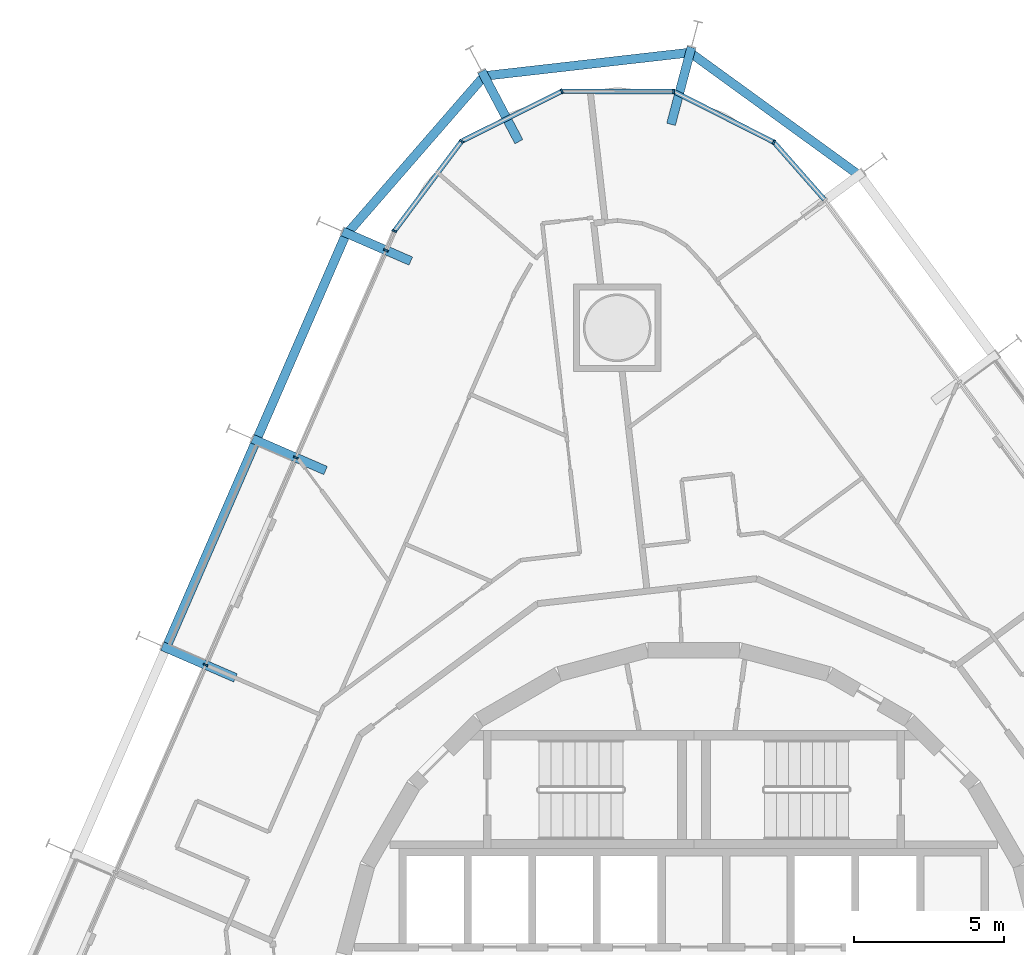
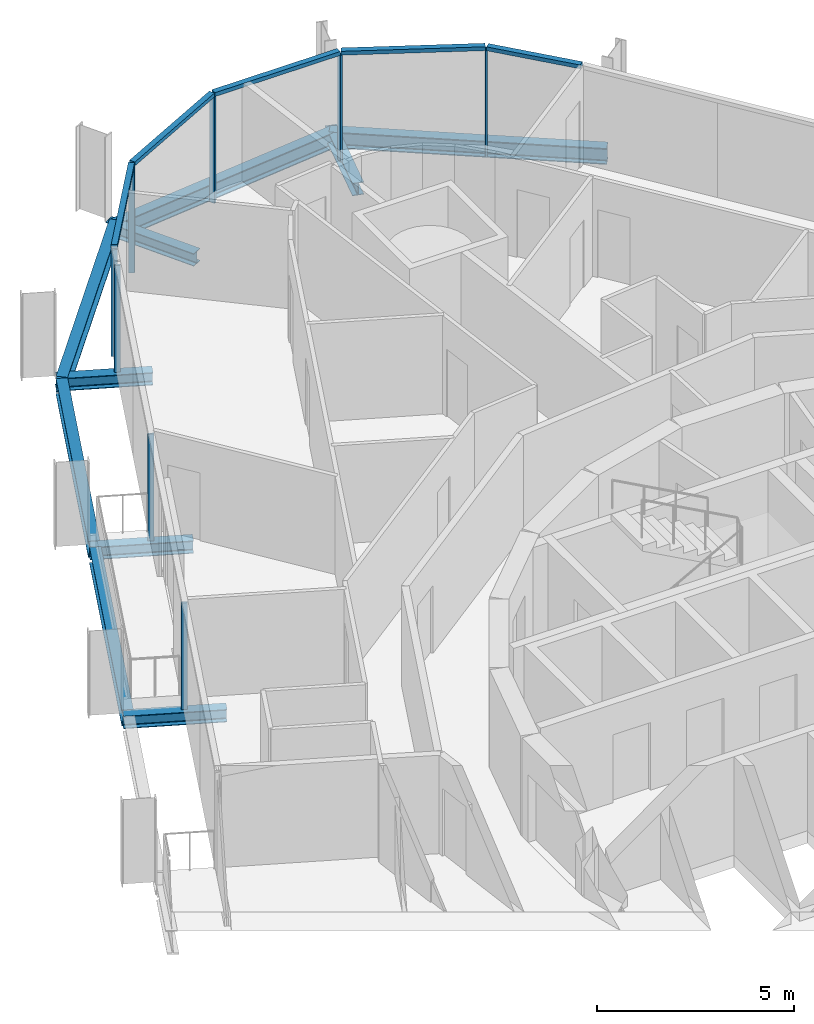
# One storey, part 9 of 23: 13 members, 10 beams, 2 elements without a shape of their own.
"""IFC4 building model written with IfcOpenShell, lengths in metres."""

from ifc_helpers import new_model, si_unit, direction, frame, origin, origin_2d, place, context, subcontext, project, spatial, rectangle, i_section, extrude, material, layer, layer_set, material_profile, profile_set, type_object, element, aggregate, save


model = new_model("IFC4")

# Units and contexts
model_context = context("Model", 3, precision=1e-05, world=origin(), true_north=direction((0.0, 1.0)))
body_context = subcontext(model_context, "Body", "Model", "MODEL_VIEW")
ifc_project = project(units=[si_unit("LENGTHUNIT", "METRE"), si_unit("AREAUNIT", "SQUARE_METRE"), si_unit("VOLUMEUNIT", "CUBIC_METRE"), si_unit("PLANEANGLEUNIT", "RADIAN"), si_unit("MASSUNIT", "GRAM", prefix="KILO")], contexts=[model_context])

# Site, building, storey
site_placement = place(None, origin())
site = spatial("IfcSite", under=ifc_project, at=site_placement, CompositionType="ELEMENT")
building_placement = place(site_placement, origin())
building = spatial("IfcBuilding", under=site, at=building_placement, Name="Spindle Arch Residences", CompositionType="ELEMENT")
storey_placement = place(building_placement, frame((0.0, 0.0, 104.699951171875)))
storey = spatial("IfcBuildingStorey", under=building, at=storey_placement, Name="L25", CompositionType="ELEMENT", Elevation=104.699951171875)

# Curtain wall, members
ifc_material_1 = material(Name="Aluminium bronze unitised frame with tinted glass", Category="aluminium")
ifc_layer_1 = layer(ifc_material_1, 0.159912109375)
ifc_layer_set_1 = layer_set([ifc_layer_1], Name="CW-D corner wall on the fillet arcs")
curtain_wall_type_1 = type_object("IfcCurtainWallType", Name="CW-D corner wall on the fillet arcs", PredefinedType="NOTDEFINED", material=ifc_layer_set_1)
curtain_wall_1_placement = place(storey_placement, origin())
curtain_wall_1 = element("IfcCurtainWall", 1, at=curtain_wall_1_placement, inside=storey, type_object=curtain_wall_type_1, Name="CW-D L25 run 3", PredefinedType="NOTDEFINED")
ifc_material_2 = material(Name="Aluminium bronze anodised mullion", Category="aluminium")
ifc_material_profile_1 = material_profile(ifc_material_2, rectangle(XDim=0.159912109375, YDim=0.06005859375, at=origin_2d()), Name="MU 60x160")
ifc_profile_set_1 = profile_set([ifc_material_profile_1], Name="Aluminium bronze anodised mullion")
member_type_1 = type_object("IfcMemberType", Name="Bronze mullion 60x160", PredefinedType="MULLION", material=ifc_profile_set_1)
member_1_placement = place(storey_placement, frame((2.662841796875, 28.544921875, -0.3798828125), z_axis=(0.0, 0.0, 1.0), x_axis=(-0.451396753797, -0.892323355439, 0.0)))
member_1 = element("IfcMember", 2, at=member_1_placement, type_object=member_type_1, Name="CW-D mullion 01", PredefinedType="MULLION", context=body_context, shape_type="SweptSolid", body=[
    extrude(rectangle(XDim=0.159912109375, YDim=0.06005859375, at=origin_2d()), origin(), (0.0, 0.0, 1.0), 3.309814453125),
])
member_2_placement = place(storey_placement, frame((-0.66259765625, 30.22705078125, -0.3798828125), z_axis=(0.0, 0.0, 1.0), x_axis=(-0.002908881551, -0.999995769195, 0.0)))
member_2 = element("IfcMember", 3, at=member_2_placement, type_object=member_type_1, Name="CW-D mullion 02", PredefinedType="MULLION", context=body_context, shape_type="SweptSolid", body=[
    extrude(rectangle(XDim=0.159912109375, YDim=0.06005859375, at=origin_2d()), origin(), (0.0, 0.0, 1.0), 3.309814453125),
])
member_3_placement = place(storey_placement, frame((-4.38916015625, 30.23779296875, -0.3798828125), z_axis=(0.0, 0.0, 1.0), x_axis=(0.446197812813, -0.89493436175, 0.0)))
member_3 = element("IfcMember", 4, at=member_3_placement, type_object=member_type_1, Name="CW-D mullion 03", PredefinedType="MULLION", context=body_context, shape_type="SweptSolid", body=[
    extrude(rectangle(XDim=0.159912109375, YDim=0.06005859375, at=origin_2d()), origin(), (0.0, 0.0, 1.0), 3.309814453125),
])
member_4_placement = place(storey_placement, frame((-7.724365234375, 28.574951171875, -0.3798828125), z_axis=(0.0, 0.0, 1.0), x_axis=(0.800382739909, -0.599489340736, 0.0)))
member_4 = element("IfcMember", 5, at=member_4_placement, type_object=member_type_1, Name="CW-D mullion 04", PredefinedType="MULLION", context=body_context, shape_type="SweptSolid", body=[
    extrude(rectangle(XDim=0.159912109375, YDim=0.06005859375, at=origin_2d()), origin(), (0.0, 0.0, 1.0), 3.309814453125),
])
member_5_placement = place(storey_placement, frame((-9.958740234375, 25.59228515625, -0.3798828125), z_axis=(0.0, 0.0, 1.0), x_axis=(0.917060074385, -0.398749068925, 0.0)))
member_5 = element("IfcMember", 6, at=member_5_placement, type_object=member_type_1, Name="CW-D mullion 05", PredefinedType="MULLION", context=body_context, shape_type="SweptSolid", body=[
    extrude(rectangle(XDim=0.159912109375, YDim=0.06005859375, at=origin_2d()), origin(), (0.0, 0.0, 1.0), 3.309814453125),
])

ifc_material_3 = material(Name="Aluminium bronze unitised frame with tinted glass", Category="aluminium")
ifc_layer_2 = layer(ifc_material_3, 0.159912109375)
ifc_layer_set_2 = layer_set([ifc_layer_2], Name="CW-C typical residential unitised wall")
curtain_wall_type_2 = type_object("IfcCurtainWallType", Name="CW-C typical residential unitised wall", PredefinedType="NOTDEFINED", material=ifc_layer_set_2)
curtain_wall_2_placement = place(storey_placement, origin())
curtain_wall_2 = element("IfcCurtainWall", 7, at=curtain_wall_2_placement, inside=storey, type_object=curtain_wall_type_2, Name="CW-C L25 run 4", PredefinedType="NOTDEFINED")
member_6_placement = place(storey_placement, frame((-10.23828125, 24.94873046875, -0.3798828125), z_axis=(0.0, 0.0, 1.0), x_axis=(0.917060074385, -0.398749068925, 0.0)))
member_6 = element("IfcMember", 8, at=member_6_placement, type_object=member_type_1, Name="CW-C mullion 13", PredefinedType="MULLION", context=body_context, shape_type="SweptSolid", body=[
    extrude(rectangle(XDim=0.159912109375, YDim=0.06005859375, at=origin_2d()), origin(), (0.0, 0.0, 1.0), 3.309814453125),
])
member_7_placement = place(storey_placement, frame((-13.236572265625, 18.0537109375, -0.3798828125), z_axis=(0.0, 0.0, 1.0), x_axis=(0.917060074385, -0.398749068925, 0.0)))
member_7 = element("IfcMember", 9, at=member_7_placement, type_object=member_type_1, Name="CW-C mullion 14", PredefinedType="MULLION", context=body_context, shape_type="SweptSolid", body=[
    extrude(rectangle(XDim=0.159912109375, YDim=0.06005859375, at=origin_2d()), origin(), (0.0, 0.0, 1.0), 3.309814453125),
])
member_8_placement = place(storey_placement, frame((-16.234619140625, 11.158447265625, -0.3798828125), z_axis=(0.0, 0.0, 1.0), x_axis=(0.917060074385, -0.398749068925, 0.0)))
member_8 = element("IfcMember", 10, at=member_8_placement, type_object=member_type_1, Name="CW-C mullion 15", PredefinedType="MULLION", context=body_context, shape_type="SweptSolid", body=[
    extrude(rectangle(XDim=0.159912109375, YDim=0.06005859375, at=origin_2d()), origin(), (0.0, 0.0, 1.0), 3.309814453125),
])
aggregate(curtain_wall_2, [member_6, member_7, member_8])

# Member
ifc_material_4 = material(Name="Aluminium bronze anodised transom", Category="aluminium")
ifc_material_profile_2 = material_profile(ifc_material_4, rectangle(XDim=0.159912109375, YDim=0.1201171875, at=origin_2d()), Name="TR 120x160")
ifc_profile_set_2 = profile_set([ifc_material_profile_2], Name="Aluminium bronze anodised transom")
member_type_2 = type_object("IfcMemberType", Name="Bronze transom 120x160", PredefinedType="USERDEFINED", material=ifc_profile_set_2)
member_9_placement = place(storey_placement, frame((4.34375, 26.635009765625, 2.989990234375), z_axis=(-0.660660732339, 0.750684618695, 0.0), x_axis=(-0.750684618695, -0.660660732339, 0.0)))
member_9 = element("IfcMember", 11, at=member_9_placement, type_object=member_type_2, Name="CW-D transom 00", ObjectType="TRANSOM", PredefinedType="USERDEFINED", context=body_context, shape_type="SweptSolid", body=[
    extrude(rectangle(XDim=0.159912109375, YDim=0.1201171875, at=origin_2d()), origin(), (0.0, 0.0, 1.0), 2.513916015625),
])

member_10_placement = place(storey_placement, frame((2.63623046875, 28.558349609375, 2.989990234375), z_axis=(-0.892313345479, 0.45141654099, 0.0), x_axis=(-0.45141654099, -0.892313345479, 0.0)))
member_10 = element("IfcMember", 12, at=member_10_placement, type_object=member_type_2, Name="CW-D transom 01", ObjectType="TRANSOM", PredefinedType="USERDEFINED", context=body_context, shape_type="SweptSolid", body=[
    extrude(rectangle(XDim=0.159912109375, YDim=0.1201171875, at=origin_2d()), origin(), (0.0, 0.0, 1.0), 3.666748046875),
])

member_11_placement = place(storey_placement, frame((-0.692626953125, 30.22705078125, 2.989990234375), z_axis=(-0.999995708684, 0.002929609906, 0.0), x_axis=(-0.002929609906, -0.999995708684, 0.0)))
member_11 = element("IfcMember", 13, at=member_11_placement, type_object=member_type_2, Name="CW-D transom 02", ObjectType="TRANSOM", PredefinedType="USERDEFINED", context=body_context, shape_type="SweptSolid", body=[
    extrude(rectangle(XDim=0.159912109375, YDim=0.1201171875, at=origin_2d()), origin(), (0.0, 0.0, 1.0), 3.666748046875),
])

member_12_placement = place(storey_placement, frame((-4.416015625, 30.224609375, 2.989990234375), z_axis=(-0.894919349856, -0.446227920745, 0.0), x_axis=(0.446227920745, -0.894919349856, 0.0)))
member_12 = element("IfcMember", 14, at=member_12_placement, type_object=member_type_2, Name="CW-D transom 03", ObjectType="TRANSOM", PredefinedType="USERDEFINED", context=body_context, shape_type="SweptSolid", body=[
    extrude(rectangle(XDim=0.159912109375, YDim=0.1201171875, at=origin_2d()), origin(), (0.0, 0.0, 1.0), 3.666748046875),
])

member_13_placement = place(storey_placement, frame((-7.742431640625, 28.551025390625, 2.989990234375), z_axis=(-0.599499190139, -0.800375362579, 0.0), x_axis=(0.800375362579, -0.599499190139, 0.0)))
member_13 = element("IfcMember", 15, at=member_13_placement, type_object=member_type_2, Name="CW-D transom 04", ObjectType="TRANSOM", PredefinedType="USERDEFINED", context=body_context, shape_type="SweptSolid", body=[
    extrude(rectangle(XDim=0.159912109375, YDim=0.1201171875, at=origin_2d()), origin(), (0.0, 0.0, 1.0), 3.666748046875),
])

aggregate(curtain_wall_1, [member_9, member_1, member_10, member_2, member_11, member_3, member_12, member_4, member_13, member_5])

# Beams
ifc_material_5 = material(Name="Steel S460ML, intumescent coating R 120", Category="steel")
ifc_material_profile_3 = material_profile(ifc_material_5, i_section(OverallWidth=0.300048828125, OverallDepth=0.5, WebThickness=0.014404296875, FlangeThickness=0.028076171875, FilletRadius=0.027099609375, at=origin_2d()), Name="HEB 500")
ifc_profile_set_3 = profile_set([ifc_material_profile_3], Name="Steel S460ML, intumescent coating R 120")
beam_type_1 = type_object("IfcBeamType", Name="Exoskeleton edge beam HEB 500", PredefinedType="BEAM", material=ifc_profile_set_3)
beam_1_placement = place(storey_placement, frame((5.552734375, 27.40478515625, -0.6298828125), z_axis=(-0.809296745618, 0.587400014923, 0.0), x_axis=(-0.587400014923, -0.809296745618, 0.0)))
element("IfcBeam", 16, at=beam_1_placement, inside=storey, type_object=beam_type_1, Name="Exoskeleton edge beam 11", PredefinedType="BEAM", context=body_context, shape_type="SweptSolid", body=[
    extrude(i_section(OverallWidth=0.300048828125, OverallDepth=0.5, WebThickness=0.014404296875, FlangeThickness=0.028076171875, FilletRadius=0.027099609375, at=origin_2d()), origin(), (0.0, 0.0, 1.0), 7.094482421875),
])
beam_2_placement = place(storey_placement, frame((-0.02685546875, 31.5361328125, -0.6298828125), z_axis=(-0.993571479585, -0.11320651463, 0.0), x_axis=(0.11320651463, -0.993571479585, 0.0)))
element("IfcBeam", 17, at=beam_2_placement, inside=storey, type_object=beam_type_1, Name="Exoskeleton edge beam 12", PredefinedType="BEAM", context=body_context, shape_type="SweptSolid", body=[
    extrude(i_section(OverallWidth=0.300048828125, OverallDepth=0.5, WebThickness=0.014404296875, FlangeThickness=0.028076171875, FilletRadius=0.027099609375, at=origin_2d()), origin(), (0.0, 0.0, 1.0), 7.086669921875),
])
beam_3_placement = place(storey_placement, frame((-6.918212890625, 30.80517578125, -0.6298828125), z_axis=(-0.656418952224, -0.754396552989, 0.0), x_axis=(0.754396552989, -0.656418952224, 0.0)))
element("IfcBeam", 18, at=beam_3_placement, inside=storey, type_object=beam_type_1, Name="Exoskeleton edge beam 13", PredefinedType="BEAM", context=body_context, shape_type="SweptSolid", body=[
    extrude(i_section(OverallWidth=0.300048828125, OverallDepth=0.5, WebThickness=0.014404296875, FlangeThickness=0.028076171875, FilletRadius=0.027099609375, at=origin_2d()), origin(), (0.0, 0.0, 1.0), 7.09423828125),
])
beam_4_placement = place(storey_placement, frame((-11.604248046875, 25.40087890625, -0.6298828125), z_axis=(-0.398772846535, -0.91704973522, 0.0), x_axis=(0.91704973522, -0.398772846535, 0.0)))
element("IfcBeam", 19, at=beam_4_placement, inside=storey, type_object=beam_type_1, Name="Exoskeleton edge beam 14", PredefinedType="BEAM", context=body_context, shape_type="SweptSolid", body=[
    extrude(i_section(OverallWidth=0.300048828125, OverallDepth=0.5, WebThickness=0.014404296875, FlangeThickness=0.028076171875, FilletRadius=0.027099609375, at=origin_2d()), origin(), (0.0, 0.0, 1.0), 7.258544921875),
])
beam_5_placement = place(storey_placement, frame((-14.602294921875, 18.505859375, -0.6298828125), z_axis=(-0.398760546857, -0.917055083553, 0.0), x_axis=(0.917055083553, -0.398760546857, 0.0)))
element("IfcBeam", 20, at=beam_5_placement, inside=storey, type_object=beam_type_1, Name="Exoskeleton edge beam 15", PredefinedType="BEAM", context=body_context, shape_type="SweptSolid", body=[
    extrude(i_section(OverallWidth=0.300048828125, OverallDepth=0.5, WebThickness=0.014404296875, FlangeThickness=0.028076171875, FilletRadius=0.027099609375, at=origin_2d()), origin(), (0.0, 0.0, 1.0), 7.2587890625),
])
ifc_material_6 = material(Name="Steel S460ML, intumescent coating R 120", Category="steel")
ifc_material_profile_4 = material_profile(ifc_material_6, i_section(OverallWidth=0.300048828125, OverallDepth=0.389892578125, WebThickness=0.010986328125, FlangeThickness=0.01904296875, FilletRadius=0.027099609375, at=origin_2d()), Name="HEA 400")
ifc_profile_set_4 = profile_set([ifc_material_profile_4], Name="Steel S460ML, intumescent coating R 120")
beam_type_2 = type_object("IfcBeamType", Name="Floor outrigger HEA 400", PredefinedType="BEAM", material=ifc_profile_set_4)
beam_6_placement = place(storey_placement, frame((-0.079345703125, 31.698974609375, -0.574951171875), z_axis=(-0.255930543214, -0.966695172767, 0.0), x_axis=(0.966695172767, -0.255930543214, 0.0)))
element("IfcBeam", 21, at=beam_6_placement, inside=storey, type_object=beam_type_2, Name="Floor outrigger 12", PredefinedType="BEAM", context=body_context, shape_type="SweptSolid", body=[
    extrude(i_section(OverallWidth=0.300048828125, OverallDepth=0.389892578125, WebThickness=0.010986328125, FlangeThickness=0.01904296875, FilletRadius=0.027099609375, at=origin_2d()), origin(), (0.0, 0.0, 1.0), 2.650146484375),
])
beam_7_placement = place(storey_placement, frame((-7.05322265625, 30.904296875, -0.574951171875), z_axis=(0.466748611055, -0.88439003504, 0.0), x_axis=(0.88439003504, 0.466748611055, 0.0)))
element("IfcBeam", 22, at=beam_7_placement, inside=storey, type_object=beam_type_2, Name="Floor outrigger 13", PredefinedType="BEAM", context=body_context, shape_type="SweptSolid", body=[
    extrude(i_section(OverallWidth=0.300048828125, OverallDepth=0.389892578125, WebThickness=0.010986328125, FlangeThickness=0.01904296875, FilletRadius=0.027099609375, at=origin_2d()), origin(), (0.0, 0.0, 1.0), 2.64990234375),
])
beam_8_placement = place(storey_placement, frame((-11.677978515625, 25.574951171875, -0.574951171875), z_axis=(0.917041778062, -0.398791144948, 0.0), x_axis=(0.398791144948, 0.917041778062, 0.0)))
element("IfcBeam", 23, at=beam_8_placement, inside=storey, type_object=beam_type_2, Name="Floor outrigger 14", PredefinedType="BEAM", context=body_context, shape_type="SweptSolid", body=[
    extrude(i_section(OverallWidth=0.300048828125, OverallDepth=0.389892578125, WebThickness=0.010986328125, FlangeThickness=0.01904296875, FilletRadius=0.027099609375, at=origin_2d()), origin(), (0.0, 0.0, 1.0), 2.470947265625),
])
for number, where, z_axis, x_axis, name in (
    (24, (-14.67626953125, 18.6796875, -0.574951171875), (0.917064197317, -0.398739586698, 0.0), (0.398739586698, 0.917064197317, 0.0), "Floor outrigger 15"),
    (25, (-17.67431640625, 11.784423828125, -0.574951171875), (0.917064197317, -0.398739586698, 0.0), (0.398739586698, 0.917064197317, 0.0), "Floor outrigger 16"),
):
    element("IfcBeam", number, at=place(storey_placement, frame(where, z_axis=z_axis, x_axis=x_axis)), inside=storey, type_object=beam_type_2, Name=name, PredefinedType="BEAM", context=body_context, shape_type="SweptSolid", body=[
        extrude(i_section(OverallWidth=0.300048828125, OverallDepth=0.389892578125, WebThickness=0.010986328125, FlangeThickness=0.01904296875, FilletRadius=0.027099609375, at=origin_2d()), origin(), (0.0, 0.0, 1.0), 2.64990234375),
    ])

save(model, "model.ifc")
